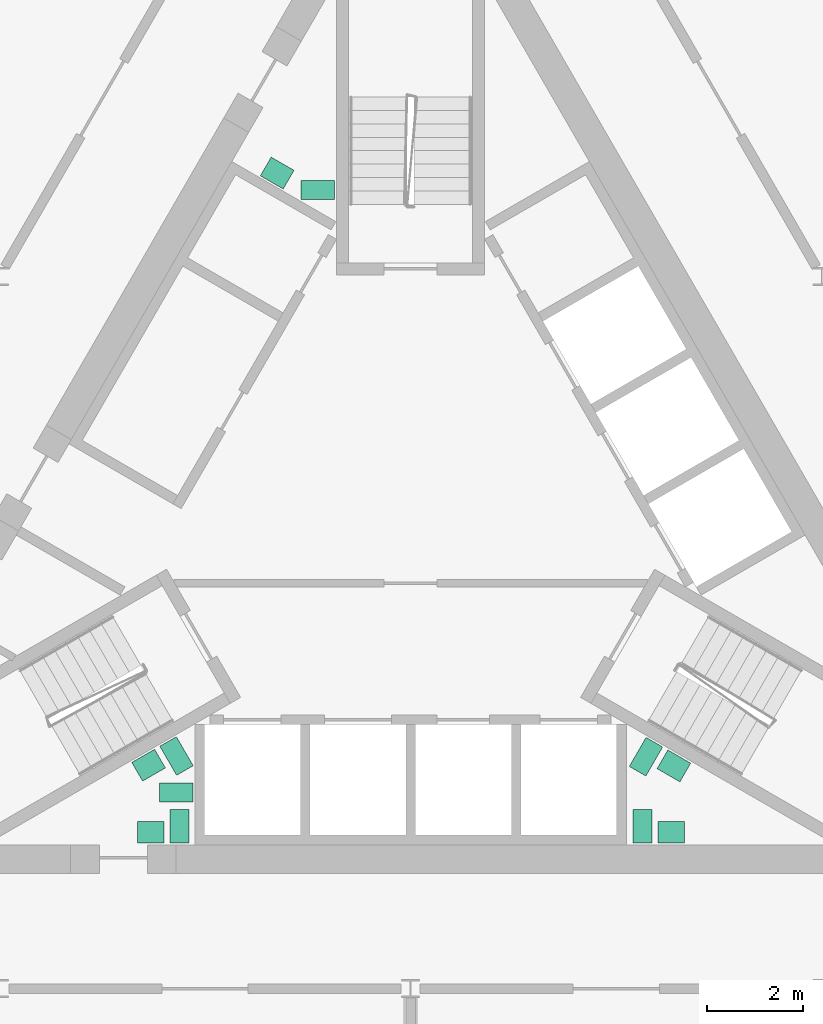
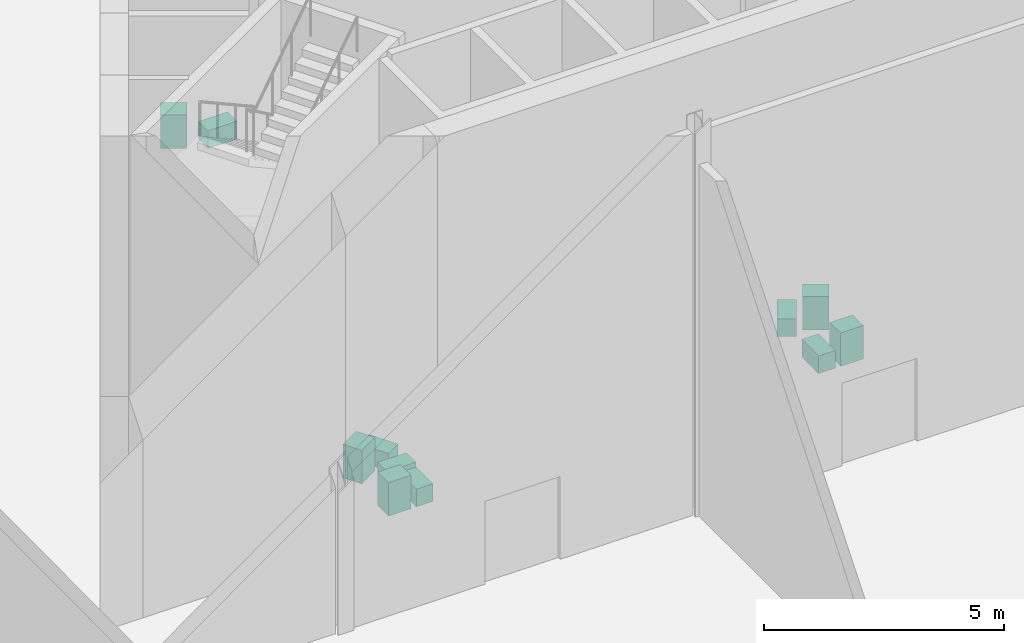
# One storey, part 17 of 18: 11 sanitary terminals.
"""IFC4 building model written with IfcOpenShell, lengths in metres."""

from ifc_helpers import new_model, si_unit, direction, frame, origin, origin_2d, place, context, subcontext, project, spatial, rectangle, extrude, material, type_object, element, save


model = new_model("IFC4")

# Units and contexts
model_context = context("Model", 3, precision=1e-05, world=origin(), true_north=direction((0.0, 1.0)))
body_context = subcontext(model_context, "Body", "Model", "MODEL_VIEW")
ifc_project = project(units=[si_unit("LENGTHUNIT", "METRE"), si_unit("AREAUNIT", "SQUARE_METRE"), si_unit("VOLUMEUNIT", "CUBIC_METRE"), si_unit("PLANEANGLEUNIT", "RADIAN"), si_unit("MASSUNIT", "GRAM", prefix="KILO")], contexts=[model_context])

# Site, building, storey
site_placement = place(None, origin())
site = spatial("IfcSite", under=ifc_project, at=site_placement, CompositionType="ELEMENT")
building_placement = place(site_placement, origin())
building = spatial("IfcBuilding", under=site, at=building_placement, Name="Cormorant Prow Tower", CompositionType="ELEMENT")
storey_placement = place(building_placement, frame((0.0, 0.0, 405.199951171875)))
storey = spatial("IfcBuildingStorey", under=building, at=storey_placement, Name="L93", CompositionType="ELEMENT", Elevation=405.199951171875)

# Sanitary terminals
ifc_material_1 = material(Name="Vitreous china")
sanitary_terminal_type_1 = type_object("IfcSanitaryTerminalType", Name="Wash basin 550x450", PredefinedType="WASHHANDBASIN", material=ifc_material_1)
for number, where, z_axis, x_axis, name in (
    (1, (-5.466796875, -5.2451171875, 0.0), (0.0, 0.0, 1.0), (-0.866016677006, -0.500015114919, 0.0), "Wash basin"),
    (2, (-5.423583984375, -6.640625, 0.0), (0.0, 0.0, 1.0), (1.0, 0.0, 0.0), "Wash basin"),
    (3, (5.493408203125, -5.260498046875, 0.0), (0.0, 0.0, 1.0), (-0.866016677006, 0.500015114919, 0.0), "Wash basin"),
    (4, (5.43994140625, -6.640625, 0.0), (0.0, 0.0, 1.0), (1.0, 0.0, 0.0), "Wash basin"),
    (5, (-2.78369140625, 7.109375, 0.0), (0.0, 0.0, 1.0), (0.866025403784, -0.5, 0.0), "Wash basin"),
):
    element("IfcSanitaryTerminal", number, at=place(storey_placement, frame(where, z_axis=z_axis, x_axis=x_axis)), inside=storey, type_object=sanitary_terminal_type_1, Name=name, PredefinedType="WASHHANDBASIN", context=body_context, shape_type="SweptSolid", body=[
        extrude(rectangle(XDim=0.550048828125, YDim=0.449951171875, at=origin_2d()), origin(), (0.0, 0.0, 1.0), 0.85009765625),
    ])
ifc_material_2 = material(Name="Vitreous china")
sanitary_terminal_type_2 = type_object("IfcSanitaryTerminalType", Name="Water closet 400x700", PredefinedType="WCSEAT", material=ifc_material_2)
for number, where, z_axis, x_axis, name in (
    (6, (-4.884521484375, -5.05322265625, 0.0), (0.0, 0.0, 1.0), (-0.866016677006, -0.500015114919, 0.0), "Water closet"),
    (7, (-4.823486328125, -6.515625, 0.0), (0.0, 0.0, 1.0), (1.0, 0.0, 0.0), "Water closet"),
    (8, (-4.889892578125, -5.815673828125, 0.0), (0.0, 0.0, 1.0), (0.0, 1.0, 0.0), "Water closet"),
    (9, (4.9111328125, -5.068603515625, 0.0), (0.0, 0.0, 1.0), (-0.866016677006, 0.500015114919, 0.0), "Water closet"),
    (10, (4.840087890625, -6.515625, 0.0), (0.0, 0.0, 1.0), (1.0, 0.0, 0.0), "Water closet"),
    (11, (-1.93408203125, 6.7568359375, 0.0), (0.0, 0.0, 1.0), (0.0, 1.0, 0.0), "Water closet"),
):
    element("IfcSanitaryTerminal", number, at=place(storey_placement, frame(where, z_axis=z_axis, x_axis=x_axis)), inside=storey, type_object=sanitary_terminal_type_2, Name=name, PredefinedType="WCSEAT", context=body_context, shape_type="SweptSolid", body=[
        extrude(rectangle(XDim=0.39990234375, YDim=0.699951171875, at=origin_2d()), origin(), (0.0, 0.0, 1.0), 0.449951171875),
    ])

save(model, "model.ifc")
